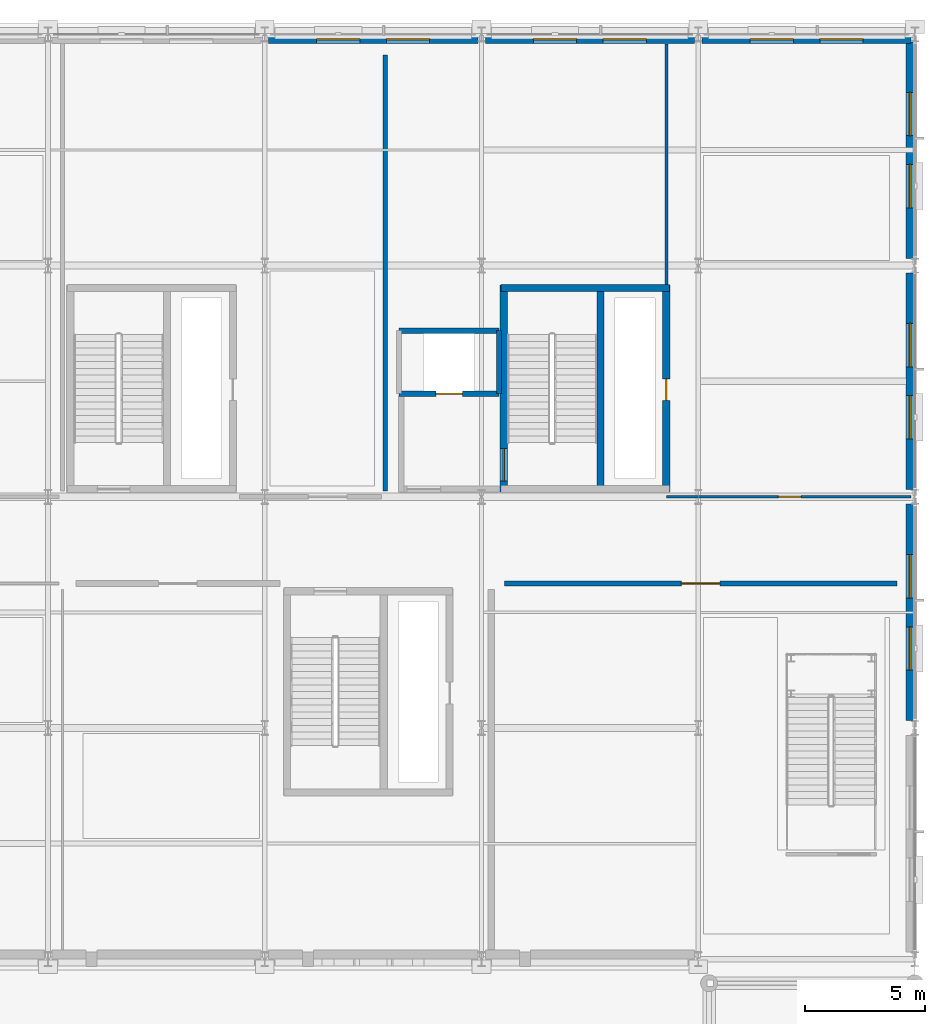
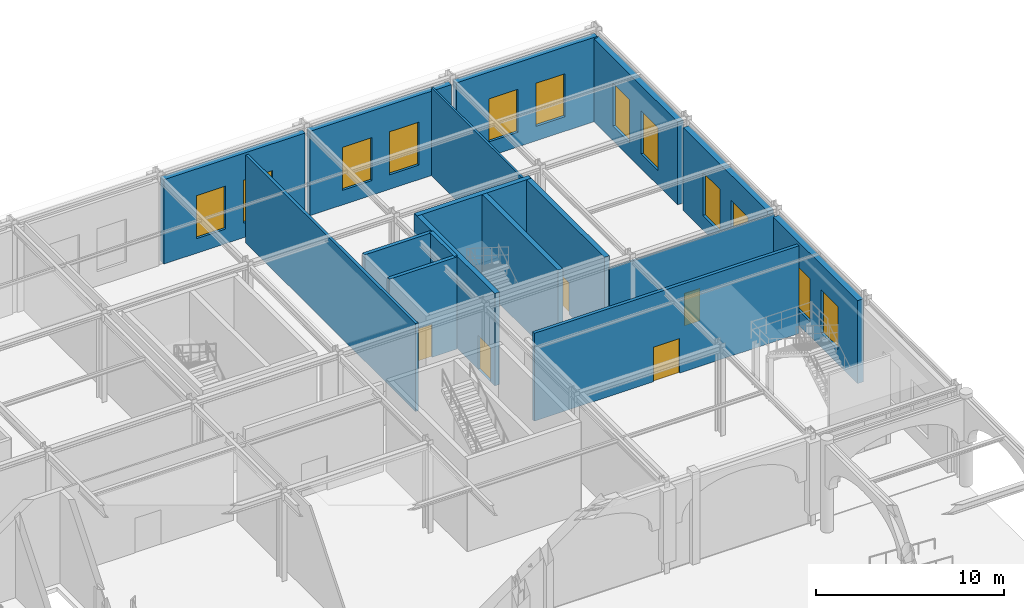
# One storey, part 69 of 113: 17 walls, 12 windows, 5 doors, 17 openings.
"""IFC4 building model written with IfcOpenShell, lengths in metres."""

from ifc_helpers import new_model, si_unit, direction, frame, frame_2d, origin, place, context, subcontext, project, spatial, rectangle, extrude, material, layer, layer_set, type_object, element, fill, save


model = new_model("IFC4")

# Units and contexts
model_context = context("Model", 3, precision=1e-05, world=origin(), true_north=direction((0.0, 1.0)))
body_context = subcontext(model_context, "Body", "Model", "MODEL_VIEW")
ifc_project = project(units=[si_unit("LENGTHUNIT", "METRE"), si_unit("AREAUNIT", "SQUARE_METRE"), si_unit("VOLUMEUNIT", "CUBIC_METRE"), si_unit("PLANEANGLEUNIT", "RADIAN"), si_unit("MASSUNIT", "GRAM", prefix="KILO")], contexts=[model_context])

# Site, building, storey
site_placement = place(None, origin())
site = spatial("IfcSite", under=ifc_project, at=site_placement, CompositionType="ELEMENT")
building_placement = place(site_placement, origin())
building = spatial("IfcBuilding", under=site, at=building_placement, Name="Myrtia Square Station", CompositionType="ELEMENT")
storey_placement = place(building_placement, origin())
storey = spatial("IfcBuildingStorey", under=building, at=storey_placement, Name="L00", CompositionType="ELEMENT", Elevation=0.0)

# Wall
ifc_material_1 = material(Name="Concrete C35/45", Category="concrete")
ifc_layer_1 = layer(ifc_material_1, 0.300048828125, Name="Concrete C35/45")
ifc_layer_set_1 = layer_set([ifc_layer_1], Name="Concrete C35/45")
wall_type_1 = type_object("IfcWallType", Name="WL-CORE-300", PredefinedType="SHEAR", material=ifc_layer_set_1)
wall_1_placement = place(storey_placement, frame((171.800048828125, 114.27490234375, 0.0), z_axis=(0.0, 0.0, 1.0), x_axis=(1.0, 0.0, 0.0)))
element("IfcWall", 1, at=wall_1_placement, inside=storey, type_object=wall_type_1, Name="Core K8 shear wall L00 N", PredefinedType="SHEAR", context=body_context, shape_type="SweptSolid", body=[
    extrude(rectangle(XDim=7.0, YDim=0.300048828125, at=frame_2d((3.5, 0.0))), origin(), (0.0, 0.0, 1.0), 6.0),
])

# Wall, opening, door
wall_2_placement = place(storey_placement, frame((171.925048828125, 105.800048828125, 0.0), z_axis=(0.0, 0.0, 1.0), x_axis=(0.0, 1.0, 0.0)))
wall_2 = element("IfcWall", 2, at=wall_2_placement, inside=storey, type_object=wall_type_1, Name="Core K8 shear wall L00 W", PredefinedType="SHEAR", context=body_context, shape_type="SweptSolid", body=[
    extrude(rectangle(XDim=8.599853515625, YDim=0.300048828125, at=frame_2d((4.2998046875, 0.0))), origin(), (0.0, 0.0, 1.0), 6.0),
])
opening_1_placement = place(wall_2_placement, frame((0.449951171875, 0.0, 0.0)))
opening_1 = element("IfcOpeningElement", 3, at=opening_1_placement, cuts=wall_2, Name="Opening SD-128", PredefinedType="OPENING", context=body_context, shape_type="SweptSolid", body=[
    extrude(rectangle(XDim=1.35009765625, YDim=2.199951171875, at=frame_2d((0.675048828125, 1.10009765625))), frame((0.0, 0.1650390625, 0.0), z_axis=(0.0, -1.0, 0.0), x_axis=(1.0, 0.0, 0.0)), (0.0, 0.0, 1.0), 0.330078125),
])
ifc_material_2 = material(Name="Dark bronze anodised aluminium", Category="aluminium")
door_type_1 = type_object("IfcDoorType", Name="DR-STAIR-1350x2200", OperationType="NOTDEFINED", PredefinedType="DOOR", material=ifc_material_2)
door_1_placement = place(opening_1_placement, origin())
door_1 = element("IfcDoor", 4, at=door_1_placement, inside=storey, type_object=door_type_1, Name="Protected stair fire door K8 L00", OperationType="SINGLE_SWING_RIGHT", OverallHeight=2.199951171875, OverallWidth=1.35009765625, PredefinedType="DOOR", context=body_context, shape_type="SweptSolid", body=[
    extrude(rectangle(XDim=1.35009765625, YDim=2.199951171875, at=frame_2d((0.675048828125, 1.10009765625))), frame((0.0, 0.02490234375, 0.0), z_axis=(0.0, -1.0, 0.0), x_axis=(1.0, 0.0, 0.0)), (0.0, 0.0, 1.0), 0.050048828125),
])
fill(opening_1, door_1)

wall_3_placement = place(storey_placement, frame((178.675048828125, 105.800048828125, 0.0), z_axis=(0.0, 0.0, 1.0), x_axis=(0.0, 1.0, 0.0)))
wall_3 = element("IfcWall", 5, at=wall_3_placement, inside=storey, type_object=wall_type_1, Name="Core K8 shear wall L00 E", PredefinedType="SHEAR", context=body_context, shape_type="SweptSolid", body=[
    extrude(rectangle(XDim=8.599853515625, YDim=0.300048828125, at=frame_2d((4.2998046875, 0.0))), origin(), (0.0, 0.0, 1.0), 6.0),
])
opening_2_placement = place(wall_3_placement, frame((3.800048828125, 0.0, 0.0)))
opening_2 = element("IfcOpeningElement", 6, at=opening_2_placement, cuts=wall_3, Name="Opening RD-129", PredefinedType="OPENING", context=body_context, shape_type="SweptSolid", body=[
    extrude(rectangle(XDim=0.89990234375, YDim=2.050048828125, at=frame_2d((0.449951171875, 1.02490234375))), frame((0.0, 0.1650390625, 0.0), z_axis=(0.0, -1.0, 0.0), x_axis=(1.0, 0.0, 0.0)), (0.0, 0.0, 1.0), 0.330078125),
])
door_type_2 = type_object("IfcDoorType", Name="DR-RISER-900x2050", OperationType="NOTDEFINED", PredefinedType="DOOR", material=ifc_material_2)
door_2_placement = place(opening_2_placement, origin())
door_2 = element("IfcDoor", 7, at=door_2_placement, inside=storey, type_object=door_type_2, Name="Riser cupboard access door K8 L00", OperationType="SINGLE_SWING_LEFT", OverallHeight=2.050048828125, OverallWidth=0.89990234375, PredefinedType="DOOR", context=body_context, shape_type="SweptSolid", body=[
    extrude(rectangle(XDim=0.89990234375, YDim=2.050048828125, at=frame_2d((0.449951171875, 1.02490234375))), frame((0.0, 0.02490234375, 0.0), z_axis=(0.0, -1.0, 0.0), x_axis=(1.0, 0.0, 0.0)), (0.0, 0.0, 1.0), 0.050048828125),
])
fill(opening_2, door_2)

# Wall
wall_4_placement = place(storey_placement, frame((175.93994140625, 106.0, 0.0), z_axis=(0.0, 0.0, 1.0), x_axis=(0.0, 1.0, 0.0)))
element("IfcWall", 8, at=wall_4_placement, inside=storey, type_object=wall_type_1, Name="Core K8 shear wall L00 D", PredefinedType="SHEAR", context=body_context, shape_type="SweptSolid", body=[
    extrude(rectangle(XDim=8.199951171875, YDim=0.300048828125, at=frame_2d((4.10009765625, 0.0))), origin(), (0.0, 0.0, 1.0), 6.0),
])

# Wall, openings, windows
ifc_material_3 = material(Name="Cream lime stucco on clay brick masonry", Category="masonry")
ifc_layer_2 = layer(ifc_material_3, 0.360107421875, Name="Cream lime stucco on clay brick masonry")
ifc_layer_set_2 = layer_set([ifc_layer_2], Name="Cream lime stucco on clay brick masonry")
wall_type_2 = type_object("IfcWallType", Name="WL-EXT-STUCCO-360", PredefinedType="SOLIDWALL", material=ifc_layer_set_2)
wall_5_placement = place(storey_placement, frame((162.155029296875, 124.60009765625, 0.0), z_axis=(0.0, 0.0, 1.0), x_axis=(1.0, 0.0, 0.0)))
wall_5 = element("IfcWall", 9, at=wall_5_placement, inside=storey, type_object=wall_type_2, Name="Exterior envelope wall EW-L00-0101", PredefinedType="SOLIDWALL", context=body_context, shape_type="SweptSolid", body=[
    extrude(rectangle(XDim=8.68994140625, YDim=0.360107421875, at=frame_2d((4.344970703125, 0.0))), origin(), (0.0, 0.0, 1.0), 5.489990234375),
])
opening_3_placement = place(wall_5_placement, frame((1.9970703125, 0.0, 0.949951171875)))
opening_3 = element("IfcOpeningElement", 10, at=opening_3_placement, cuts=wall_5, Name="Opening WN-095", PredefinedType="OPENING", context=body_context, shape_type="SweptSolid", body=[
    extrude(rectangle(XDim=1.800048828125, YDim=2.800048828125, at=frame_2d((0.89990234375, 1.39990234375))), frame((0.0, 0.195068359375, 0.0), z_axis=(0.0, -1.0, 0.0), x_axis=(1.0, 0.0, 0.0)), (0.0, 0.0, 1.0), 0.39013671875),
])
opening_4_placement = place(wall_5_placement, frame((4.89306640625, 0.0, 0.949951171875)))
opening_4 = element("IfcOpeningElement", 11, at=opening_4_placement, cuts=wall_5, Name="Opening WN-096", PredefinedType="OPENING", context=body_context, shape_type="SweptSolid", body=[
    extrude(rectangle(XDim=1.800048828125, YDim=2.800048828125, at=frame_2d((0.89990234375, 1.39990234375))), frame((0.0, 0.195068359375, 0.0), z_axis=(0.0, -1.0, 0.0), x_axis=(1.0, 0.0, 0.0)), (0.0, 0.0, 1.0), 0.39013671875),
])
ifc_material_4 = material(Name="Tinted low-E solar control glass", Category="glass")
window_type = type_object("IfcWindowType", Name="WN-ARCH-1800x2800", PartitioningType="SINGLE_PANEL", PredefinedType="WINDOW", material=ifc_material_4)
window_1_placement = place(opening_3_placement, origin())
window_1 = element("IfcWindow", 12, at=window_1_placement, inside=storey, type_object=window_type, Name="Window WN-095", OverallHeight=2.800048828125, OverallWidth=1.800048828125, PartitioningType="SINGLE_PANEL", PredefinedType="WINDOW", context=body_context, shape_type="SweptSolid", body=[
    extrude(rectangle(XDim=1.800048828125, YDim=2.800048828125, at=frame_2d((0.89990234375, 1.39990234375))), frame((0.0, 0.030029296875, 0.0), z_axis=(0.0, -1.0, 0.0), x_axis=(1.0, 0.0, 0.0)), (0.0, 0.0, 1.0), 0.06005859375),
])
fill(opening_3, window_1)
window_2_placement = place(opening_4_placement, origin())
window_2 = element("IfcWindow", 13, at=window_2_placement, inside=storey, type_object=window_type, Name="Window WN-096", OverallHeight=2.800048828125, OverallWidth=1.800048828125, PartitioningType="SINGLE_PANEL", PredefinedType="WINDOW", context=body_context, shape_type="SweptSolid", body=[
    extrude(rectangle(XDim=1.800048828125, YDim=2.800048828125, at=frame_2d((0.89990234375, 1.39990234375))), frame((0.0, 0.030029296875, 0.0), z_axis=(0.0, -1.0, 0.0), x_axis=(1.0, 0.0, 0.0)), (0.0, 0.0, 1.0), 0.06005859375),
])
fill(opening_4, window_2)

wall_6_placement = place(storey_placement, frame((171.155029296875, 124.60009765625, 0.0), z_axis=(0.0, 0.0, 1.0), x_axis=(1.0, 0.0, 0.0)))
wall_6 = element("IfcWall", 14, at=wall_6_placement, inside=storey, type_object=wall_type_2, Name="Exterior envelope wall EW-L00-0102", PredefinedType="SOLIDWALL", context=body_context, shape_type="SweptSolid", body=[
    extrude(rectangle(XDim=8.68994140625, YDim=0.360107421875, at=frame_2d((4.344970703125, 0.0))), origin(), (0.0, 0.0, 1.0), 5.489990234375),
])
opening_5_placement = place(wall_6_placement, frame((1.9970703125, 0.0, 0.949951171875)))
opening_5 = element("IfcOpeningElement", 15, at=opening_5_placement, cuts=wall_6, Name="Opening WN-097", PredefinedType="OPENING", context=body_context, shape_type="SweptSolid", body=[
    extrude(rectangle(XDim=1.800048828125, YDim=2.800048828125, at=frame_2d((0.89990234375, 1.39990234375))), frame((0.0, 0.195068359375, 0.0), z_axis=(0.0, -1.0, 0.0), x_axis=(1.0, 0.0, 0.0)), (0.0, 0.0, 1.0), 0.39013671875),
])
opening_6_placement = place(wall_6_placement, frame((4.89306640625, 0.0, 0.949951171875)))
opening_6 = element("IfcOpeningElement", 16, at=opening_6_placement, cuts=wall_6, Name="Opening WN-098", PredefinedType="OPENING", context=body_context, shape_type="SweptSolid", body=[
    extrude(rectangle(XDim=1.800048828125, YDim=2.800048828125, at=frame_2d((0.89990234375, 1.39990234375))), frame((0.0, 0.195068359375, 0.0), z_axis=(0.0, -1.0, 0.0), x_axis=(1.0, 0.0, 0.0)), (0.0, 0.0, 1.0), 0.39013671875),
])
window_3_placement = place(opening_5_placement, origin())
window_3 = element("IfcWindow", 17, at=window_3_placement, inside=storey, type_object=window_type, Name="Window WN-097", OverallHeight=2.800048828125, OverallWidth=1.800048828125, PartitioningType="SINGLE_PANEL", PredefinedType="WINDOW", context=body_context, shape_type="SweptSolid", body=[
    extrude(rectangle(XDim=1.800048828125, YDim=2.800048828125, at=frame_2d((0.89990234375, 1.39990234375))), frame((0.0, 0.030029296875, 0.0), z_axis=(0.0, -1.0, 0.0), x_axis=(1.0, 0.0, 0.0)), (0.0, 0.0, 1.0), 0.06005859375),
])
fill(opening_5, window_3)
window_4_placement = place(opening_6_placement, origin())
window_4 = element("IfcWindow", 18, at=window_4_placement, inside=storey, type_object=window_type, Name="Window WN-098", OverallHeight=2.800048828125, OverallWidth=1.800048828125, PartitioningType="SINGLE_PANEL", PredefinedType="WINDOW", context=body_context, shape_type="SweptSolid", body=[
    extrude(rectangle(XDim=1.800048828125, YDim=2.800048828125, at=frame_2d((0.89990234375, 1.39990234375))), frame((0.0, 0.030029296875, 0.0), z_axis=(0.0, -1.0, 0.0), x_axis=(1.0, 0.0, 0.0)), (0.0, 0.0, 1.0), 0.06005859375),
])
fill(opening_6, window_4)

wall_7_placement = place(storey_placement, frame((180.155029296875, 124.60009765625, 0.0), z_axis=(0.0, 0.0, 1.0), x_axis=(1.0, 0.0, 0.0)))
wall_7 = element("IfcWall", 19, at=wall_7_placement, inside=storey, type_object=wall_type_2, Name="Exterior envelope wall EW-L00-0103", PredefinedType="SOLIDWALL", context=body_context, shape_type="SweptSolid", body=[
    extrude(rectangle(XDim=8.68994140625, YDim=0.360107421875, at=frame_2d((4.344970703125, 0.0))), origin(), (0.0, 0.0, 1.0), 5.489990234375),
])
opening_7_placement = place(wall_7_placement, frame((1.9970703125, 0.0, 0.949951171875)))
opening_7 = element("IfcOpeningElement", 20, at=opening_7_placement, cuts=wall_7, Name="Opening WN-099", PredefinedType="OPENING", context=body_context, shape_type="SweptSolid", body=[
    extrude(rectangle(XDim=1.800048828125, YDim=2.800048828125, at=frame_2d((0.89990234375, 1.39990234375))), frame((0.0, 0.195068359375, 0.0), z_axis=(0.0, -1.0, 0.0), x_axis=(1.0, 0.0, 0.0)), (0.0, 0.0, 1.0), 0.39013671875),
])
opening_8_placement = place(wall_7_placement, frame((4.89306640625, 0.0, 0.949951171875)))
opening_8 = element("IfcOpeningElement", 21, at=opening_8_placement, cuts=wall_7, Name="Opening WN-100", PredefinedType="OPENING", context=body_context, shape_type="SweptSolid", body=[
    extrude(rectangle(XDim=1.800048828125, YDim=2.800048828125, at=frame_2d((0.89990234375, 1.39990234375))), frame((0.0, 0.195068359375, 0.0), z_axis=(0.0, -1.0, 0.0), x_axis=(1.0, 0.0, 0.0)), (0.0, 0.0, 1.0), 0.39013671875),
])
window_5_placement = place(opening_7_placement, origin())
window_5 = element("IfcWindow", 22, at=window_5_placement, inside=storey, type_object=window_type, Name="Window WN-099", OverallHeight=2.800048828125, OverallWidth=1.800048828125, PartitioningType="SINGLE_PANEL", PredefinedType="WINDOW", context=body_context, shape_type="SweptSolid", body=[
    extrude(rectangle(XDim=1.800048828125, YDim=2.800048828125, at=frame_2d((0.89990234375, 1.39990234375))), frame((0.0, 0.030029296875, 0.0), z_axis=(0.0, -1.0, 0.0), x_axis=(1.0, 0.0, 0.0)), (0.0, 0.0, 1.0), 0.06005859375),
])
fill(opening_7, window_5)
window_6_placement = place(opening_8_placement, origin())
window_6 = element("IfcWindow", 23, at=window_6_placement, inside=storey, type_object=window_type, Name="Window WN-100", OverallHeight=2.800048828125, OverallWidth=1.800048828125, PartitioningType="SINGLE_PANEL", PredefinedType="WINDOW", context=body_context, shape_type="SweptSolid", body=[
    extrude(rectangle(XDim=1.800048828125, YDim=2.800048828125, at=frame_2d((0.89990234375, 1.39990234375))), frame((0.0, 0.030029296875, 0.0), z_axis=(0.0, -1.0, 0.0), x_axis=(1.0, 0.0, 0.0)), (0.0, 0.0, 1.0), 0.06005859375),
])
fill(opening_8, window_6)

wall_8_placement = place(storey_placement, frame((188.800048828125, 96.304931640625, 0.0), z_axis=(0.0, 0.0, 1.0), x_axis=(0.0, 1.0, 0.0)))
wall_8 = element("IfcWall", 24, at=wall_8_placement, inside=storey, type_object=wall_type_2, Name="Exterior envelope wall EW-L00-0105", PredefinedType="SOLIDWALL", context=body_context, shape_type="SweptSolid", body=[
    extrude(rectangle(XDim=8.989990234375, YDim=0.360107421875, at=frame_2d((4.4951171875, 0.0))), origin(), (0.0, 0.0, 1.0), 5.39990234375),
])
opening_9_placement = place(wall_8_placement, frame((2.096923828125, 0.0, 0.949951171875)))
opening_9 = element("IfcOpeningElement", 25, at=opening_9_placement, cuts=wall_8, Name="Opening WN-103", PredefinedType="OPENING", context=body_context, shape_type="SweptSolid", body=[
    extrude(rectangle(XDim=1.800048828125, YDim=2.800048828125, at=frame_2d((0.89990234375, 1.39990234375))), frame((0.0, 0.195068359375, 0.0), z_axis=(0.0, -1.0, 0.0), x_axis=(1.0, 0.0, 0.0)), (0.0, 0.0, 1.0), 0.39013671875),
])
opening_10_placement = place(wall_8_placement, frame((5.093017578125, 0.0, 0.949951171875)))
opening_10 = element("IfcOpeningElement", 26, at=opening_10_placement, cuts=wall_8, Name="Opening WN-104", PredefinedType="OPENING", context=body_context, shape_type="SweptSolid", body=[
    extrude(rectangle(XDim=1.800048828125, YDim=2.800048828125, at=frame_2d((0.89990234375, 1.39990234375))), frame((0.0, 0.195068359375, 0.0), z_axis=(0.0, -1.0, 0.0), x_axis=(1.0, 0.0, 0.0)), (0.0, 0.0, 1.0), 0.39013671875),
])
window_7_placement = place(opening_9_placement, origin())
window_7 = element("IfcWindow", 27, at=window_7_placement, inside=storey, type_object=window_type, Name="Window WN-103", OverallHeight=2.800048828125, OverallWidth=1.800048828125, PartitioningType="SINGLE_PANEL", PredefinedType="WINDOW", context=body_context, shape_type="SweptSolid", body=[
    extrude(rectangle(XDim=1.800048828125, YDim=2.800048828125, at=frame_2d((0.89990234375, 1.39990234375))), frame((0.0, 0.030029296875, 0.0), z_axis=(0.0, -1.0, 0.0), x_axis=(1.0, 0.0, 0.0)), (0.0, 0.0, 1.0), 0.06005859375),
])
fill(opening_9, window_7)
window_8_placement = place(opening_10_placement, origin())
window_8 = element("IfcWindow", 28, at=window_8_placement, inside=storey, type_object=window_type, Name="Window WN-104", OverallHeight=2.800048828125, OverallWidth=1.800048828125, PartitioningType="SINGLE_PANEL", PredefinedType="WINDOW", context=body_context, shape_type="SweptSolid", body=[
    extrude(rectangle(XDim=1.800048828125, YDim=2.800048828125, at=frame_2d((0.89990234375, 1.39990234375))), frame((0.0, 0.030029296875, 0.0), z_axis=(0.0, -1.0, 0.0), x_axis=(1.0, 0.0, 0.0)), (0.0, 0.0, 1.0), 0.06005859375),
])
fill(opening_10, window_8)

wall_9_placement = place(storey_placement, frame((188.800048828125, 105.905029296875, 0.0), z_axis=(0.0, 0.0, 1.0), x_axis=(0.0, 1.0, 0.0)))
wall_9 = element("IfcWall", 29, at=wall_9_placement, inside=storey, type_object=wall_type_2, Name="Exterior envelope wall EW-L00-0106", PredefinedType="SOLIDWALL", context=body_context, shape_type="SweptSolid", body=[
    extrude(rectangle(XDim=8.989990234375, YDim=0.360107421875, at=frame_2d((4.4951171875, 0.0))), origin(), (0.0, 0.0, 1.0), 5.39990234375),
])
opening_11_placement = place(wall_9_placement, frame((2.096923828125, 0.0, 0.949951171875)))
opening_11 = element("IfcOpeningElement", 30, at=opening_11_placement, cuts=wall_9, Name="Opening WN-105", PredefinedType="OPENING", context=body_context, shape_type="SweptSolid", body=[
    extrude(rectangle(XDim=1.800048828125, YDim=2.800048828125, at=frame_2d((0.89990234375, 1.39990234375))), frame((0.0, 0.195068359375, 0.0), z_axis=(0.0, -1.0, 0.0), x_axis=(1.0, 0.0, 0.0)), (0.0, 0.0, 1.0), 0.39013671875),
])
opening_12_placement = place(wall_9_placement, frame((5.093017578125, 0.0, 0.949951171875)))
opening_12 = element("IfcOpeningElement", 31, at=opening_12_placement, cuts=wall_9, Name="Opening WN-106", PredefinedType="OPENING", context=body_context, shape_type="SweptSolid", body=[
    extrude(rectangle(XDim=1.800048828125, YDim=2.800048828125, at=frame_2d((0.89990234375, 1.39990234375))), frame((0.0, 0.195068359375, 0.0), z_axis=(0.0, -1.0, 0.0), x_axis=(1.0, 0.0, 0.0)), (0.0, 0.0, 1.0), 0.39013671875),
])
window_9_placement = place(opening_11_placement, origin())
window_9 = element("IfcWindow", 32, at=window_9_placement, inside=storey, type_object=window_type, Name="Window WN-105", OverallHeight=2.800048828125, OverallWidth=1.800048828125, PartitioningType="SINGLE_PANEL", PredefinedType="WINDOW", context=body_context, shape_type="SweptSolid", body=[
    extrude(rectangle(XDim=1.800048828125, YDim=2.800048828125, at=frame_2d((0.89990234375, 1.39990234375))), frame((0.0, 0.030029296875, 0.0), z_axis=(0.0, -1.0, 0.0), x_axis=(1.0, 0.0, 0.0)), (0.0, 0.0, 1.0), 0.06005859375),
])
fill(opening_11, window_9)
window_10_placement = place(opening_12_placement, origin())
window_10 = element("IfcWindow", 33, at=window_10_placement, inside=storey, type_object=window_type, Name="Window WN-106", OverallHeight=2.800048828125, OverallWidth=1.800048828125, PartitioningType="SINGLE_PANEL", PredefinedType="WINDOW", context=body_context, shape_type="SweptSolid", body=[
    extrude(rectangle(XDim=1.800048828125, YDim=2.800048828125, at=frame_2d((0.89990234375, 1.39990234375))), frame((0.0, 0.030029296875, 0.0), z_axis=(0.0, -1.0, 0.0), x_axis=(1.0, 0.0, 0.0)), (0.0, 0.0, 1.0), 0.06005859375),
])
fill(opening_12, window_10)

wall_10_placement = place(storey_placement, frame((188.800048828125, 115.5048828125, 0.0), z_axis=(0.0, 0.0, 1.0), x_axis=(0.0, 1.0, 0.0)))
wall_10 = element("IfcWall", 34, at=wall_10_placement, inside=storey, type_object=wall_type_2, Name="Exterior envelope wall EW-L00-0107", PredefinedType="SOLIDWALL", context=body_context, shape_type="SweptSolid", body=[
    extrude(rectangle(XDim=8.990234375, YDim=0.360107421875, at=frame_2d((4.4951171875, 0.0))), origin(), (0.0, 0.0, 1.0), 5.39990234375),
])
opening_13_placement = place(wall_10_placement, frame((2.096923828125, 0.0, 0.949951171875)))
opening_13 = element("IfcOpeningElement", 35, at=opening_13_placement, cuts=wall_10, Name="Opening WN-107", PredefinedType="OPENING", context=body_context, shape_type="SweptSolid", body=[
    extrude(rectangle(XDim=1.800048828125, YDim=2.800048828125, at=frame_2d((0.89990234375, 1.39990234375))), frame((0.0, 0.195068359375, 0.0), z_axis=(0.0, -1.0, 0.0), x_axis=(1.0, 0.0, 0.0)), (0.0, 0.0, 1.0), 0.39013671875),
])
opening_14_placement = place(wall_10_placement, frame((5.093017578125, 0.0, 0.949951171875)))
opening_14 = element("IfcOpeningElement", 36, at=opening_14_placement, cuts=wall_10, Name="Opening WN-108", PredefinedType="OPENING", context=body_context, shape_type="SweptSolid", body=[
    extrude(rectangle(XDim=1.800048828125, YDim=2.800048828125, at=frame_2d((0.89990234375, 1.39990234375))), frame((0.0, 0.195068359375, 0.0), z_axis=(0.0, -1.0, 0.0), x_axis=(1.0, 0.0, 0.0)), (0.0, 0.0, 1.0), 0.39013671875),
])
window_11_placement = place(opening_13_placement, origin())
window_11 = element("IfcWindow", 37, at=window_11_placement, inside=storey, type_object=window_type, Name="Window WN-107", OverallHeight=2.800048828125, OverallWidth=1.800048828125, PartitioningType="SINGLE_PANEL", PredefinedType="WINDOW", context=body_context, shape_type="SweptSolid", body=[
    extrude(rectangle(XDim=1.800048828125, YDim=2.800048828125, at=frame_2d((0.89990234375, 1.39990234375))), frame((0.0, 0.030029296875, 0.0), z_axis=(0.0, -1.0, 0.0), x_axis=(1.0, 0.0, 0.0)), (0.0, 0.0, 1.0), 0.06005859375),
])
fill(opening_13, window_11)
window_12_placement = place(opening_14_placement, origin())
window_12 = element("IfcWindow", 38, at=window_12_placement, inside=storey, type_object=window_type, Name="Window WN-108", OverallHeight=2.800048828125, OverallWidth=1.800048828125, PartitioningType="SINGLE_PANEL", PredefinedType="WINDOW", context=body_context, shape_type="SweptSolid", body=[
    extrude(rectangle(XDim=1.800048828125, YDim=2.800048828125, at=frame_2d((0.89990234375, 1.39990234375))), frame((0.0, 0.030029296875, 0.0), z_axis=(0.0, -1.0, 0.0), x_axis=(1.0, 0.0, 0.0)), (0.0, 0.0, 1.0), 0.06005859375),
])
fill(opening_14, window_12)

# Wall, opening, door
ifc_layer_3 = layer(ifc_material_1, 0.219970703125, Name="Concrete C35/45")
ifc_layer_set_3 = layer_set([ifc_layer_3], Name="Concrete C35/45")
wall_type_3 = type_object("IfcWallType", Name="WL-LIFT-220", PredefinedType="SHEAR", material=ifc_layer_set_3)
wall_11_placement = place(storey_placement, frame((167.570068359375, 109.8798828125, 0.0), z_axis=(0.0, 0.0, 1.0), x_axis=(1.0, 0.0, 0.0)))
wall_11 = element("IfcWall", 39, at=wall_11_placement, inside=storey, type_object=wall_type_3, Name="Lift shaft wall FFL-04 L00 -Y", PredefinedType="SHEAR", context=body_context, shape_type="SweptSolid", body=[
    extrude(rectangle(XDim=4.159912109375, YDim=0.219970703125, at=frame_2d((2.080078125, 0.0))), origin(), (0.0, 0.0, 1.0), 6.0),
])
opening_15_placement = place(wall_11_placement, frame((1.530029296875, 0.0, 0.0)))
opening_15 = element("IfcOpeningElement", 40, at=opening_15_placement, cuts=wall_11, Name="Opening LD-FFL-04", PredefinedType="OPENING", context=body_context, shape_type="SweptSolid", body=[
    extrude(rectangle(XDim=1.10009765625, YDim=2.14990234375, at=frame_2d((0.550048828125, 1.074951171875))), frame((0.0, 0.125, 0.0), z_axis=(0.0, -1.0, 0.0), x_axis=(1.0, 0.0, 0.0)), (0.0, 0.0, 1.0), 0.25),
])
door_type_3 = type_object("IfcDoorType", Name="DR-LIFT-1100x2150", OperationType="NOTDEFINED", PredefinedType="DOOR", material=ifc_material_2)
door_3_placement = place(opening_15_placement, origin())
door_3 = element("IfcDoor", 41, at=door_3_placement, inside=storey, type_object=door_type_3, Name="Lift landing door FFL-04 L00", OperationType="SLIDING_TO_LEFT", OverallHeight=2.14990234375, OverallWidth=1.10009765625, PredefinedType="DOOR", context=body_context, shape_type="SweptSolid", body=[
    extrude(rectangle(XDim=1.10009765625, YDim=2.14990234375, at=frame_2d((0.550048828125, 1.074951171875))), frame((0.0, 0.02490234375, 0.0), z_axis=(0.0, -1.0, 0.0), x_axis=(1.0, 0.0, 0.0)), (0.0, 0.0, 1.0), 0.050048828125),
])
fill(opening_15, door_3)

# Walls
wall_12_placement = place(storey_placement, frame((167.570068359375, 112.5, 0.0), z_axis=(0.0, 0.0, 1.0), x_axis=(1.0, 0.0, 0.0)))
element("IfcWall", 42, at=wall_12_placement, inside=storey, type_object=wall_type_3, Name="Lift shaft wall FFL-04 L00 +Y", PredefinedType="SHEAR", context=body_context, shape_type="SweptSolid", body=[
    extrude(rectangle(XDim=4.159912109375, YDim=0.219970703125, at=frame_2d((2.080078125, 0.0))), origin(), (0.0, 0.0, 1.0), 6.0),
])
wall_13_placement = place(storey_placement, frame((171.72998046875, 109.8798828125, 0.0), z_axis=(0.0, 0.0, 1.0), x_axis=(0.0, 1.0, 0.0)))
element("IfcWall", 43, at=wall_13_placement, inside=storey, type_object=wall_type_3, Name="Lift shaft wall FFL-04 L00 +X", PredefinedType="SHEAR", context=body_context, shape_type="SweptSolid", body=[
    extrude(rectangle(XDim=2.6201171875, YDim=0.219970703125, at=frame_2d((1.31005859375, 0.0))), origin(), (0.0, 0.0, 1.0), 6.0),
])

# Wall, opening, door
ifc_material_5 = material(Name="Gypsum plasterboard")
ifc_layer_4 = layer(ifc_material_5, 0.10009765625, Name="Gypsum plasterboard")
ifc_layer_set_4 = layer_set([ifc_layer_4], Name="Gypsum plasterboard")
wall_type_4 = type_object("IfcWallType", Name="WL-PART-100", PredefinedType="PARTITIONING", material=ifc_layer_set_4)
wall_14_placement = place(storey_placement, frame((178.679931640625, 105.60009765625, 0.0), z_axis=(0.0, 0.0, 1.0), x_axis=(1.0, 0.0, 0.0)))
wall_14 = element("IfcWall", 44, at=wall_14_placement, inside=storey, type_object=wall_type_4, Name="Interior partition wall L00-22", PredefinedType="PARTITIONING", context=body_context, shape_type="SweptSolid", body=[
    extrude(rectangle(XDim=10.1650390625, YDim=0.10009765625, at=frame_2d((5.08251953125, 0.0))), origin(), (0.0, 0.0, 1.0), 5.3701171875),
])
opening_16_placement = place(wall_14_placement, frame((4.64501953125, 0.0, 0.0)))
opening_16 = element("IfcOpeningElement", 45, at=opening_16_placement, cuts=wall_14, Name="Opening D-232", PredefinedType="OPENING", context=body_context, shape_type="SweptSolid", body=[
    extrude(rectangle(XDim=0.949951171875, YDim=2.10009765625, at=frame_2d((0.47509765625, 1.050048828125))), frame((0.0, 0.06494140625, 0.0), z_axis=(0.0, -1.0, 0.0), x_axis=(1.0, 0.0, 0.0)), (0.0, 0.0, 1.0), 0.130126953125),
])
ifc_material_6 = material(Name="Acoustic European oak timber", Category="wood")
door_type_4 = type_object("IfcDoorType", Name="DR-WC-950x2100", OperationType="NOTDEFINED", PredefinedType="DOOR", material=ifc_material_6)
door_4_placement = place(opening_16_placement, frame((0.949951171875, 0.0, 0.0), z_axis=(0.0, 0.0, 1.0), x_axis=(-1.0, 0.0, 0.0)))
door_4 = element("IfcDoor", 46, at=door_4_placement, inside=storey, type_object=door_type_4, Name="North Wing Staff Sanitary and Accessible WC door D-232", OperationType="SINGLE_SWING_RIGHT", OverallHeight=2.10009765625, OverallWidth=0.949951171875, PredefinedType="DOOR", context=body_context, shape_type="SweptSolid", body=[
    extrude(rectangle(XDim=0.949951171875, YDim=2.10009765625, at=frame_2d((0.47509765625, 1.050048828125))), frame((0.0, 0.02490234375, 0.0), z_axis=(0.0, -1.0, 0.0), x_axis=(1.0, 0.0, 0.0)), (0.0, 0.0, 1.0), 0.050048828125),
])
fill(opening_16, door_4)

# Walls
ifc_layer_5 = layer(ifc_material_5, 0.125, Name="Gypsum plasterboard")
ifc_layer_set_5 = layer_set([ifc_layer_5], Name="Gypsum plasterboard")
wall_type_5 = type_object("IfcWallType", Name="WL-PART-125", PredefinedType="PARTITIONING", material=ifc_layer_set_5)
wall_15_placement = place(storey_placement, frame((178.675048828125, 114.409912109375, 0.0), z_axis=(0.0, 0.0, 1.0), x_axis=(0.0, 1.0, 0.0)))
element("IfcWall", 47, at=wall_15_placement, inside=storey, type_object=wall_type_5, Name="Sanitary enclosure partition L00-22", PredefinedType="PARTITIONING", context=body_context, shape_type="SweptSolid", body=[
    extrude(rectangle(XDim=10.0, YDim=0.125, at=frame_2d((5.0, 0.0))), origin(), (0.0, 0.0, 1.0), 5.719970703125),
])
ifc_layer_6 = layer(ifc_material_3, 0.175048828125, Name="Cream lime stucco on clay brick masonry")
ifc_layer_set_6 = layer_set([ifc_layer_6], Name="Cream lime stucco on clay brick masonry")
wall_type_6 = type_object("IfcWallType", Name="WL-PART-175", PredefinedType="PARTITIONING", material=ifc_layer_set_6)
wall_16_placement = place(storey_placement, frame((167.0, 105.85009765625, 0.0), z_axis=(0.0, 0.0, 1.0), x_axis=(0.0, 1.0, 0.0)))
element("IfcWall", 48, at=wall_16_placement, inside=storey, type_object=wall_type_6, Name="Room divider partition L00-20", PredefinedType="PARTITIONING", context=body_context, shape_type="SweptSolid", body=[
    extrude(rectangle(XDim=18.099853515625, YDim=0.175048828125, at=frame_2d((9.0498046875, 0.0))), origin(), (0.0, 0.0, 1.0), 5.719970703125),
])

# Wall, opening, door
ifc_layer_7 = layer(ifc_material_3, 0.199951171875, Name="Cream lime stucco on clay brick masonry")
ifc_layer_set_7 = layer_set([ifc_layer_7], Name="Cream lime stucco on clay brick masonry")
wall_type_7 = type_object("IfcWallType", Name="WL-PART-200", PredefinedType="PARTITIONING", material=ifc_layer_set_7)
wall_17_placement = place(storey_placement, frame((171.949951171875, 102.0, 0.0), z_axis=(0.0, 0.0, 1.0), x_axis=(1.0, 0.0, 0.0)))
wall_17 = element("IfcWall", 49, at=wall_17_placement, inside=storey, type_object=wall_type_7, Name="Interior partition wall L00-16", PredefinedType="PARTITIONING", context=body_context, shape_type="SweptSolid", body=[
    extrude(rectangle(XDim=16.300048828125, YDim=0.199951171875, at=frame_2d((8.14990234375, 0.0))), origin(), (0.0, 0.0, 1.0), 5.719970703125),
])
opening_17_placement = place(wall_17_placement, frame((7.35009765625, 0.0, 0.0)))
opening_17 = element("IfcOpeningElement", 50, at=opening_17_placement, cuts=wall_17, Name="Opening D-226", PredefinedType="OPENING", context=body_context, shape_type="SweptSolid", body=[
    extrude(rectangle(XDim=1.60009765625, YDim=2.25, at=frame_2d((0.800048828125, 1.125))), frame((0.0, 0.114990234375, 0.0), z_axis=(0.0, -1.0, 0.0), x_axis=(1.0, 0.0, 0.0)), (0.0, 0.0, 1.0), 0.22998046875),
])
door_type_5 = type_object("IfcDoorType", Name="DR-CORR-1600x2250", OperationType="NOTDEFINED", PredefinedType="DOOR", material=ifc_material_2)
door_5_placement = place(opening_17_placement, origin())
door_5 = element("IfcDoor", 51, at=door_5_placement, inside=storey, type_object=door_type_5, Name="Transit Police and Security Suite door D-226", OperationType="DOUBLE_DOOR_SINGLE_SWING", OverallHeight=2.25, OverallWidth=1.60009765625, PredefinedType="DOOR", context=body_context, shape_type="SweptSolid", body=[
    extrude(rectangle(XDim=1.60009765625, YDim=2.25, at=frame_2d((0.800048828125, 1.125))), frame((0.0, 0.02490234375, 0.0), z_axis=(0.0, -1.0, 0.0), x_axis=(1.0, 0.0, 0.0)), (0.0, 0.0, 1.0), 0.050048828125),
])
fill(opening_17, door_5)

save(model, "model.ifc")
